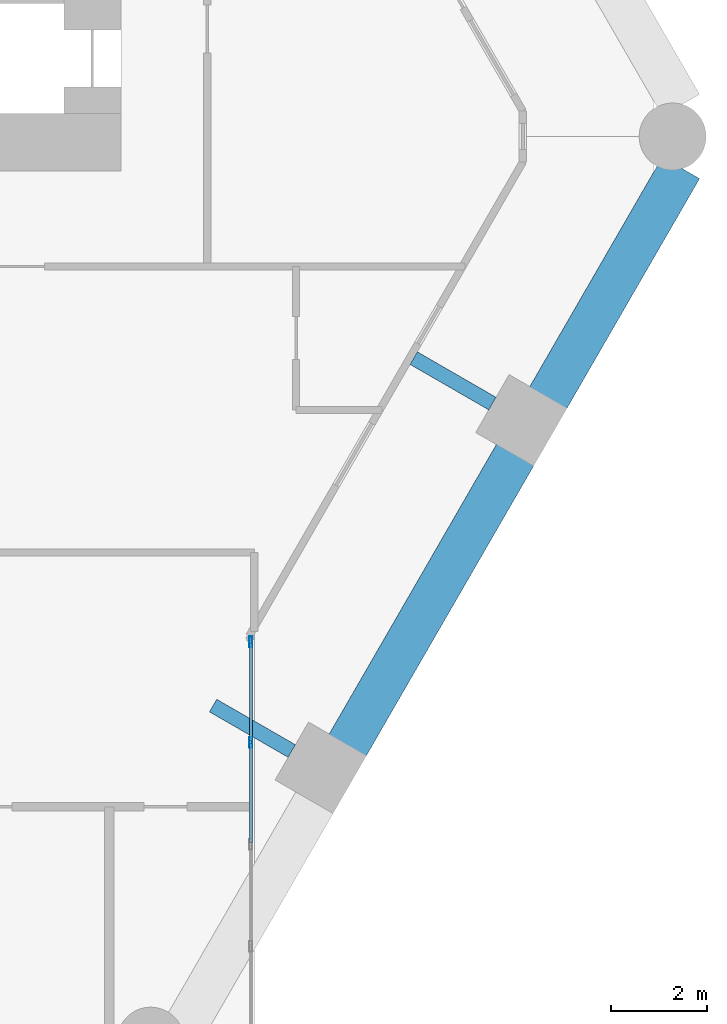
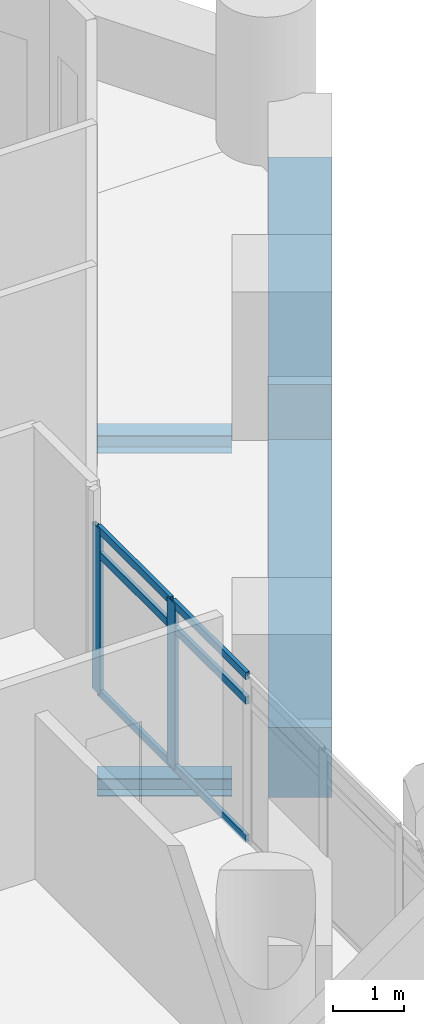
# One storey, part 11 of 28: 8 members, 4 beams, 1 element without a shape of its own.
"""IFC4 building model written with IfcOpenShell, lengths in metres."""

from ifc_helpers import new_model, si_unit, direction, frame, origin, origin_2d, place, context, subcontext, project, spatial, rectangle, hollow_rectangle, i_section, extrude, material, material_profile, profile_set, type_object, element, aggregate, save


model = new_model("IFC4")

# Units and contexts
model_context = context("Model", 3, precision=1e-05, world=origin(), true_north=direction((0.0, 1.0)))
body_context = subcontext(model_context, "Body", "Model", "MODEL_VIEW")
ifc_project = project(units=[si_unit("LENGTHUNIT", "METRE"), si_unit("AREAUNIT", "SQUARE_METRE"), si_unit("VOLUMEUNIT", "CUBIC_METRE"), si_unit("PLANEANGLEUNIT", "RADIAN"), si_unit("MASSUNIT", "GRAM", prefix="KILO")], contexts=[model_context])

# Site, building, storey
site_placement = place(None, origin())
site = spatial("IfcSite", under=ifc_project, at=site_placement, CompositionType="ELEMENT")
building_placement = place(site_placement, origin())
building = spatial("IfcBuilding", under=site, at=building_placement, Name="Ostrander Bayou Hotel Tower", CompositionType="ELEMENT")
storey_placement = place(building_placement, frame((0.0, 0.0, 76.75)))
storey = spatial("IfcBuildingStorey", under=building, at=storey_placement, Name="L19", CompositionType="ELEMENT", Elevation=76.75)

# Curtain wall, members
ifc_material_1 = material(Name="Aluminium and clear glass", Category="aluminium")
curtain_wall_type = type_object("IfcCurtainWallType", Name="CW-BAR glazed wall", PredefinedType="NOTDEFINED", material=ifc_material_1)
curtain_wall_placement = place(storey_placement, origin())
curtain_wall = element("IfcCurtainWall", 1, at=curtain_wall_placement, inside=storey, type_object=curtain_wall_type, Name="CW-BAR L19:SB1S:W", PredefinedType="NOTDEFINED")
ifc_material_2 = material(Name="Aluminium", Category="aluminium")
ifc_material_profile_1 = material_profile(ifc_material_2, hollow_rectangle(XDim=0.06005859375, YDim=0.219970703125, WallThickness=0.00390625, at=origin_2d()))
ifc_profile_set_1 = profile_set([ifc_material_profile_1], Name="Aluminium")
member_type_1 = type_object("IfcMemberType", Name="CW-BR mullion 60 x 220 mm", PredefinedType="MULLION", material=ifc_profile_set_1)
member_1_placement = place(storey_placement, frame((14.712158203125, -11.547607421875, 0.0), z_axis=(0.0, 0.0, 1.0), x_axis=(1.0, 0.0, 0.0)))
member_1 = element("IfcMember", 2, at=member_1_placement, type_object=member_type_1, Name="CW-BAR mullion 1", PredefinedType="MULLION", context=body_context, shape_type="SweptSolid", body=[
    extrude(hollow_rectangle(XDim=0.06005859375, YDim=0.219970703125, WallThickness=0.00390625, at=origin_2d()), origin(), (0.0, 0.0, 1.0), 2.85009765625),
])
member_2_placement = place(storey_placement, frame((14.712158203125, -13.650634765625, 0.0), z_axis=(0.0, 0.0, 1.0), x_axis=(1.0, 0.0, 0.0)))
member_2 = element("IfcMember", 3, at=member_2_placement, type_object=member_type_1, Name="CW-BAR mullion 2", PredefinedType="MULLION", context=body_context, shape_type="SweptSolid", body=[
    extrude(hollow_rectangle(XDim=0.06005859375, YDim=0.219970703125, WallThickness=0.00390625, at=origin_2d()), origin(), (0.0, 0.0, 1.0), 2.85009765625),
])
ifc_material_3 = material(Name="Aluminium", Category="aluminium")
ifc_material_profile_2 = material_profile(ifc_material_3, hollow_rectangle(XDim=0.06005859375, YDim=0.1298828125, WallThickness=0.00390625, at=origin_2d()))
ifc_profile_set_2 = profile_set([ifc_material_profile_2], Name="Aluminium")
member_type_2 = type_object("IfcMemberType", Name="CW-BR transom 60 x 130 mm", PredefinedType="USERDEFINED", material=ifc_profile_set_2)
member_3_placement = place(storey_placement, frame((14.712158203125, -11.57763671875, 0.030029296875), z_axis=(0.0, -1.0, 0.0), x_axis=(1.0, 0.0, 0.0)))
member_3 = element("IfcMember", 4, at=member_3_placement, type_object=member_type_2, Name="CW-BAR transom 1.1", ObjectType="TRANSOM", PredefinedType="USERDEFINED", context=body_context, shape_type="SweptSolid", body=[
    extrude(hollow_rectangle(XDim=0.06005859375, YDim=0.1298828125, WallThickness=0.00390625, at=origin_2d()), origin(), (0.0, 0.0, 1.0), 2.043212890625),
])
member_4_placement = place(storey_placement, frame((14.712158203125, -11.57763671875, 2.39990234375), z_axis=(0.0, -1.0, 0.0), x_axis=(1.0, 0.0, 0.0)))
member_4 = element("IfcMember", 5, at=member_4_placement, type_object=member_type_2, Name="CW-BAR transom 1.2", ObjectType="TRANSOM", PredefinedType="USERDEFINED", context=body_context, shape_type="SweptSolid", body=[
    extrude(hollow_rectangle(XDim=0.06005859375, YDim=0.1298828125, WallThickness=0.00390625, at=origin_2d()), origin(), (0.0, 0.0, 1.0), 2.043212890625),
])
member_5_placement = place(storey_placement, frame((14.712158203125, -11.57763671875, 2.820068359375), z_axis=(0.0, -1.0, 0.0), x_axis=(1.0, 0.0, 0.0)))
member_5 = element("IfcMember", 6, at=member_5_placement, type_object=member_type_2, Name="CW-BAR transom 1.3", ObjectType="TRANSOM", PredefinedType="USERDEFINED", context=body_context, shape_type="SweptSolid", body=[
    extrude(hollow_rectangle(XDim=0.06005859375, YDim=0.1298828125, WallThickness=0.00390625, at=origin_2d()), origin(), (0.0, 0.0, 1.0), 2.043212890625),
])
member_6_placement = place(storey_placement, frame((14.712158203125, -13.6806640625, 0.030029296875), z_axis=(0.0, -1.0, 0.0), x_axis=(1.0, 0.0, 0.0)))
member_6 = element("IfcMember", 7, at=member_6_placement, type_object=member_type_2, Name="CW-BAR transom 2.1", ObjectType="TRANSOM", PredefinedType="USERDEFINED", context=body_context, shape_type="SweptSolid", body=[
    extrude(hollow_rectangle(XDim=0.06005859375, YDim=0.1298828125, WallThickness=0.00390625, at=origin_2d()), origin(), (0.0, 0.0, 1.0), 2.072998046875),
])
member_7_placement = place(storey_placement, frame((14.712158203125, -13.6806640625, 2.39990234375), z_axis=(0.0, -1.0, 0.0), x_axis=(1.0, 0.0, 0.0)))
member_7 = element("IfcMember", 8, at=member_7_placement, type_object=member_type_2, Name="CW-BAR transom 2.2", ObjectType="TRANSOM", PredefinedType="USERDEFINED", context=body_context, shape_type="SweptSolid", body=[
    extrude(hollow_rectangle(XDim=0.06005859375, YDim=0.1298828125, WallThickness=0.00390625, at=origin_2d()), origin(), (0.0, 0.0, 1.0), 2.072998046875),
])
member_8_placement = place(storey_placement, frame((14.712158203125, -13.6806640625, 2.820068359375), z_axis=(0.0, -1.0, 0.0), x_axis=(1.0, 0.0, 0.0)))
member_8 = element("IfcMember", 9, at=member_8_placement, type_object=member_type_2, Name="CW-BAR transom 2.3", ObjectType="TRANSOM", PredefinedType="USERDEFINED", context=body_context, shape_type="SweptSolid", body=[
    extrude(hollow_rectangle(XDim=0.06005859375, YDim=0.1298828125, WallThickness=0.00390625, at=origin_2d()), origin(), (0.0, 0.0, 1.0), 2.072998046875),
])
aggregate(curtain_wall, [member_1, member_2, member_3, member_4, member_5, member_6, member_7, member_8])

# Beams
ifc_material_4 = material(Name="Steel ASTM A992", Category="steel")
ifc_material_profile_3 = material_profile(ifc_material_4, i_section(OverallWidth=0.3046875, OverallDepth=0.307861328125, WebThickness=0.010009765625, FlangeThickness=0.015380859375, at=origin_2d()))
ifc_profile_set_3 = profile_set([ifc_material_profile_3], Name="Steel ASTM A992")
beam_type_1 = type_object("IfcBeamType", Name="LB1 loggia bracket W12x65", PredefinedType="BEAM", material=ifc_profile_set_3)
beam_1_placement = place(storey_placement, frame((15.569091796875, -13.833251953125, -0.453857421875), z_axis=(-0.86601224135, 0.500022797313, 0.0), x_axis=(-0.500022797313, -0.86601224135, 0.0)))
element("IfcBeam", 10, at=beam_1_placement, inside=storey, type_object=beam_type_1, Name="LB1 L19 SE1", PredefinedType="BEAM", context=body_context, shape_type="SweptSolid", body=[
    extrude(i_section(OverallWidth=0.3046875, OverallDepth=0.307861328125, WebThickness=0.010009765625, FlangeThickness=0.015380859375, at=origin_2d()), origin(), (0.0, 0.0, 1.0), 1.89990234375),
])
beam_2_placement = place(storey_placement, frame((19.7646484375, -6.566650390625, -0.453857421875), z_axis=(-0.866044365799, 0.499967155389, 0.0), x_axis=(-0.499967155389, -0.866044365799, 0.0)))
element("IfcBeam", 11, at=beam_2_placement, inside=storey, type_object=beam_type_1, Name="LB1 L19 SE2", PredefinedType="BEAM", context=body_context, shape_type="SweptSolid", body=[
    extrude(i_section(OverallWidth=0.3046875, OverallDepth=0.307861328125, WebThickness=0.010009765625, FlangeThickness=0.015380859375, at=origin_2d()), origin(), (0.0, 0.0, 1.0), 1.900146484375),
])
ifc_material_5 = material(Name="Concrete f'c 70 MPa", Category="concrete")
ifc_material_profile_4 = material_profile(ifc_material_5, rectangle(XDim=0.89990234375, YDim=1.199951171875, at=origin_2d()))
ifc_profile_set_4 = profile_set([ifc_material_profile_4], Name="Concrete f'c 70 MPa")
beam_type_2 = type_object("IfcBeamType", Name="SP1 spandrel beam 900 x 1200 mm f'c 70 MPa", PredefinedType="SPANDREL", material=ifc_profile_set_4)
beam_3_placement = place(storey_placement, frame((16.726806640625, -13.72802734375, -0.60009765625), z_axis=(0.499997206141, 0.866027016814, 0.0), x_axis=(-0.866027016814, 0.499997206141, 0.0)))
element("IfcBeam", 12, at=beam_3_placement, inside=storey, type_object=beam_type_2, Name="SP1 L19 SE-2", PredefinedType="SPANDREL", context=body_context, shape_type="SweptSolid", body=[
    extrude(rectangle(XDim=0.89990234375, YDim=1.199951171875, at=origin_2d()), origin(), (0.0, 0.0, 1.0), 7.05078125),
])
beam_4_placement = place(storey_placement, frame((20.92236328125, -6.46142578125, -0.60009765625), z_axis=(0.500009557824, 0.866019885502, 0.0), x_axis=(-0.866019885502, 0.500009557824, 0.0)))
element("IfcBeam", 13, at=beam_4_placement, inside=storey, type_object=beam_type_2, Name="SP1 L19 SE-3", PredefinedType="SPANDREL", context=body_context, shape_type="SweptSolid", body=[
    extrude(rectangle(XDim=0.89990234375, YDim=1.199951171875, at=origin_2d()), origin(), (0.0, 0.0, 1.0), 5.56982421875),
])

save(model, "model.ifc")
